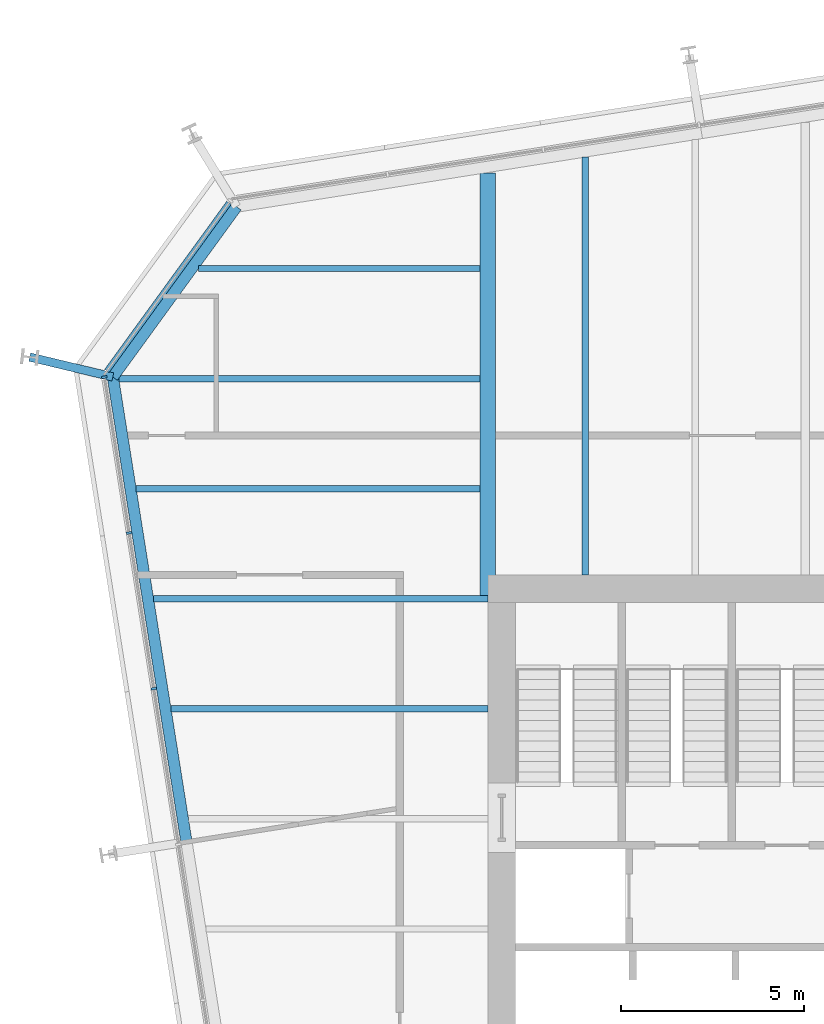
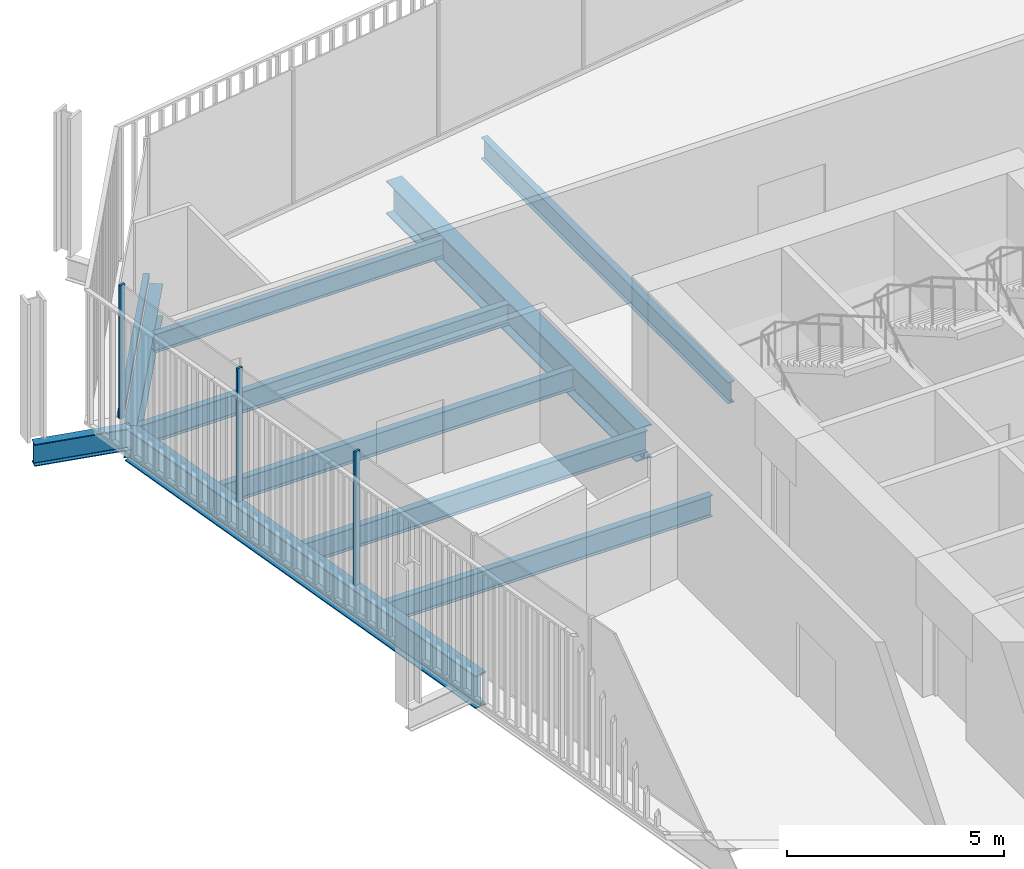
# One storey, part 10 of 21: 10 beams, 4 members, 2 elements without a shape of their own.
"""IFC4 building model written with IfcOpenShell, lengths in metres."""

from ifc_helpers import new_model, si_unit, direction, frame, origin, origin_2d, place, context, subcontext, project, spatial, rectangle, i_section, extrude, material, layer, layer_set, material_profile, profile_set, type_object, element, aggregate, save


model = new_model("IFC4")

# Units and contexts
model_context = context("Model", 3, precision=1e-05, world=origin(), true_north=direction((0.0, 1.0)))
body_context = subcontext(model_context, "Body", "Model", "MODEL_VIEW")
ifc_project = project(units=[si_unit("LENGTHUNIT", "METRE"), si_unit("AREAUNIT", "SQUARE_METRE"), si_unit("VOLUMEUNIT", "CUBIC_METRE"), si_unit("PLANEANGLEUNIT", "RADIAN"), si_unit("MASSUNIT", "GRAM", prefix="KILO")], contexts=[model_context])

# Site, building, storey
site_placement = place(None, origin())
site = spatial("IfcSite", under=ifc_project, at=site_placement, CompositionType="ELEMENT")
building_placement = place(site_placement, origin())
building = spatial("IfcBuilding", under=site, at=building_placement, Name="Millrace Tower", CompositionType="ELEMENT")
storey_placement = place(building_placement, frame((0.0, 0.0, 141.199951171875)))
storey = spatial("IfcBuildingStorey", under=building, at=storey_placement, Name="L31", CompositionType="ELEMENT", Elevation=141.199951171875)

# Curtain wall, members
ifc_material_1 = material(Name="Aluminium and glass", Category="aluminium")
ifc_layer = layer(ifc_material_1, 0.14990234375)
ifc_layer_set = layer_set([ifc_layer], Name="Aluminium and glass")
curtain_wall_type = type_object("IfcCurtainWallType", Name="CW-1 office vision curtain wall", PredefinedType="NOTDEFINED", material=ifc_layer_set)
placement = place(storey_placement, origin())
curtain_wall_1 = element("IfcCurtainWall", 1, at=placement, inside=storey, type_object=curtain_wall_type, Name="Curtain wall C-F08 L31", PredefinedType="NOTDEFINED")
ifc_material_2 = material(Name="Aluminium", Category="aluminium")
ifc_material_profile_1 = material_profile(ifc_material_2, rectangle(XDim=0.06494140625, YDim=0.14990234375, at=origin_2d()))
ifc_profile_set_1 = profile_set([ifc_material_profile_1], Name="Aluminium")
member_type_1 = type_object("IfcMemberType", Name="CW-1 office vision curtain wall mullion", PredefinedType="MULLION", material=ifc_profile_set_1)
member_1_placement = place(storey_placement, frame((-25.106689453125, 15.041748046875, 0.14013671875), z_axis=(0.0, 0.0, 1.0), x_axis=(0.15643447328, -0.98768833929, 0.0)))
member_1 = element("IfcMember", 2, at=member_1_placement, type_object=member_type_1, Name="CW1 mullion C-F08.1", PredefinedType="MULLION", context=body_context, shape_type="SweptSolid", body=[
    extrude(rectangle(XDim=0.06494140625, YDim=0.14990234375, at=origin_2d()), origin(), (0.0, 0.0, 1.0), 3.760009765625),
])
member_2_placement = place(storey_placement, frame((-24.43408203125, 10.794677734375, 0.14013671875), z_axis=(0.0, 0.0, 1.0), x_axis=(0.15643447328, -0.98768833929, 0.0)))
member_2 = element("IfcMember", 3, at=member_2_placement, type_object=member_type_1, Name="CW1 mullion C-F08.2", PredefinedType="MULLION", context=body_context, shape_type="SweptSolid", body=[
    extrude(rectangle(XDim=0.06494140625, YDim=0.14990234375, at=origin_2d()), origin(), (0.0, 0.0, 1.0), 3.760009765625),
])
member_3_placement = place(storey_placement, frame((-23.76123046875, 6.547607421875, 0.14013671875), z_axis=(0.0, 0.0, 1.0), x_axis=(0.15643447328, -0.98768833929, 0.0)))
member_3 = element("IfcMember", 4, at=member_3_placement, type_object=member_type_1, Name="CW1 mullion C-F08.3", PredefinedType="MULLION", context=body_context, shape_type="SweptSolid", body=[
    extrude(rectangle(XDim=0.06494140625, YDim=0.14990234375, at=origin_2d()), origin(), (0.0, 0.0, 1.0), 3.760009765625),
])
aggregate(curtain_wall_1, [member_1, member_2, member_3])

# Curtain wall, member
curtain_wall_2 = element("IfcCurtainWall", 5, at=placement, inside=storey, type_object=curtain_wall_type, Name="Curtain wall C-F07 L31", PredefinedType="NOTDEFINED")
ifc_material_3 = material(Name="Aluminium", Category="aluminium")
ifc_material_profile_2 = material_profile(ifc_material_3, rectangle(XDim=0.14990234375, YDim=0.139892578125, at=origin_2d()))
ifc_profile_set_2 = profile_set([ifc_material_profile_2], Name="Aluminium")
member_type_2 = type_object("IfcMemberType", Name="CW-1 office vision curtain wall transom", PredefinedType="USERDEFINED", material=ifc_profile_set_2)
member_4_placement = place(storey_placement, frame((-21.70751953125, 19.796875, 0.070068359375), z_axis=(-0.587761915215, -0.80903394924, 0.0), x_axis=(0.80903394924, -0.587761915215, 0.0)))
member_4 = element("IfcMember", 6, at=member_4_placement, type_object=member_type_2, Name="CW1 transom C-F07.1", ObjectType="TRANSOM", PredefinedType="USERDEFINED", context=body_context, shape_type="SweptSolid", body=[
    extrude(rectangle(XDim=0.14990234375, YDim=0.139892578125, at=origin_2d()), origin(), (0.0, 0.0, 1.0), 5.6689453125),
])
aggregate(curtain_wall_2, [member_4])

# Beams
ifc_material_4 = material(Name="Steel ASTM A992 Grade 50", Category="steel")
ifc_material_profile_3 = material_profile(ifc_material_4, i_section(OverallWidth=0.1650390625, OverallDepth=0.52587890625, WebThickness=0.0087890625, FlangeThickness=0.011474609375, FilletRadius=0.0126953125, at=origin_2d()))
ifc_profile_set_3 = profile_set([ifc_material_profile_3], Name="Steel ASTM A992 Grade 50")
beam_type_1 = type_object("IfcBeamType", Name="Floor beam W21x44", PredefinedType="JOIST", material=ifc_profile_set_3)
beam_1_placement = place(storey_placement, frame((-22.540283203125, 18.0, -0.4228515625), z_axis=(1.0, 0.0, 0.0), x_axis=(0.0, 1.0, 0.0)))
element("IfcBeam", 7, at=beam_1_placement, inside=storey, type_object=beam_type_1, Name="BM-C-L31-S1-S035", PredefinedType="JOIST", context=body_context, shape_type="SweptSolid", body=[
    extrude(i_section(OverallWidth=0.1650390625, OverallDepth=0.52587890625, WebThickness=0.0087890625, FlangeThickness=0.011474609375, FilletRadius=0.0126953125, at=origin_2d()), origin(), (0.0, 0.0, 1.0), 7.6806640625),
])
ifc_material_5 = material(Name="Steel ASTM A992 Grade 50", Category="steel")
ifc_material_profile_4 = material_profile(ifc_material_5, i_section(OverallWidth=0.177978515625, OverallDepth=0.599365234375, WebThickness=0.010009765625, FlangeThickness=0.012939453125, FilletRadius=0.012939453125, at=origin_2d()))
ifc_profile_set_4 = profile_set([ifc_material_profile_4], Name="Steel ASTM A992 Grade 50")
beam_type_2 = type_object("IfcBeamType", Name="Floor beam W24x55", PredefinedType="JOIST", material=ifc_profile_set_4)
beam_2_placement = place(storey_placement, frame((-23.28759765625, 6.0, -0.459716796875), z_axis=(1.0, 0.0, 0.0), x_axis=(0.0, 1.0, 0.0)))
element("IfcBeam", 8, at=beam_2_placement, inside=storey, type_object=beam_type_2, Name="BM-C-L31-S1-S026", PredefinedType="JOIST", context=body_context, shape_type="SweptSolid", body=[
    extrude(i_section(OverallWidth=0.177978515625, OverallDepth=0.599365234375, WebThickness=0.010009765625, FlangeThickness=0.012939453125, FilletRadius=0.012939453125, at=origin_2d()), origin(), (0.0, 0.0, 1.0), 8.6376953125),
])
beam_3_placement = place(storey_placement, frame((-23.7626953125, 9.0, -0.459716796875), z_axis=(1.0, 0.0, 0.0), x_axis=(0.0, 1.0, 0.0)))
element("IfcBeam", 9, at=beam_3_placement, inside=storey, type_object=beam_type_2, Name="BM-C-L31-S1-S029", PredefinedType="JOIST", context=body_context, shape_type="SweptSolid", body=[
    extrude(i_section(OverallWidth=0.177978515625, OverallDepth=0.599365234375, WebThickness=0.010009765625, FlangeThickness=0.012939453125, FilletRadius=0.012939453125, at=origin_2d()), origin(), (0.0, 0.0, 1.0), 9.11279296875),
])
beam_4_placement = place(storey_placement, frame((-24.23779296875, 12.0, -0.459716796875), z_axis=(1.0, 0.0, 0.0), x_axis=(0.0, 1.0, 0.0)))
element("IfcBeam", 10, at=beam_4_placement, inside=storey, type_object=beam_type_2, Name="BM-C-L31-S1-S031", PredefinedType="JOIST", context=body_context, shape_type="SweptSolid", body=[
    extrude(i_section(OverallWidth=0.177978515625, OverallDepth=0.599365234375, WebThickness=0.010009765625, FlangeThickness=0.012939453125, FilletRadius=0.012939453125, at=origin_2d()), origin(), (0.0, 0.0, 1.0), 9.378173828125),
])
beam_5_placement = place(storey_placement, frame((-24.712890625, 15.0, -0.459716796875), z_axis=(1.0, 0.0, 0.0), x_axis=(0.0, 1.0, 0.0)))
element("IfcBeam", 11, at=beam_5_placement, inside=storey, type_object=beam_type_2, Name="BM-C-L31-S1-S033", PredefinedType="JOIST", context=body_context, shape_type="SweptSolid", body=[
    extrude(i_section(OverallWidth=0.177978515625, OverallDepth=0.599365234375, WebThickness=0.010009765625, FlangeThickness=0.012939453125, FilletRadius=0.012939453125, at=origin_2d()), origin(), (0.0, 0.0, 1.0), 9.853271484375),
])
ifc_material_6 = material(Name="Steel ASTM A992 Grade 50", Category="steel")
ifc_material_profile_5 = material_profile(ifc_material_6, i_section(OverallWidth=0.1787109375, OverallDepth=0.60205078125, WebThickness=0.010986328125, FlangeThickness=0.014892578125, FilletRadius=0.0126953125, at=origin_2d()))
ifc_profile_set_5 = profile_set([ifc_material_profile_5], Name="Steel ASTM A992 Grade 50")
beam_type_3 = type_object("IfcBeamType", Name="Floor beam W24x62", PredefinedType="JOIST", material=ifc_profile_set_5)
beam_6_placement = place(storey_placement, frame((-12.0, 9.64990234375, -0.4609375), z_axis=(0.0, 1.0, 0.0), x_axis=(-1.0, 0.0, 0.0)))
element("IfcBeam", 12, at=beam_6_placement, inside=storey, type_object=beam_type_3, Name="BM-C-L31-S1-S039", PredefinedType="JOIST", context=body_context, shape_type="SweptSolid", body=[
    extrude(i_section(OverallWidth=0.1787109375, OverallDepth=0.60205078125, WebThickness=0.010986328125, FlangeThickness=0.014892578125, FilletRadius=0.0126953125, at=origin_2d()), origin(), (0.0, 0.0, 1.0), 11.39111328125),
])
ifc_material_7 = material(Name="Steel ASTM A992 Grade 50", Category="steel")
ifc_material_profile_6 = material_profile(ifc_material_7, i_section(OverallWidth=0.419189453125, OverallDepth=0.927001953125, WebThickness=0.019287109375, FlangeThickness=0.031982421875, FilletRadius=0.024169921875, at=origin_2d()))
ifc_profile_set_6 = profile_set([ifc_material_profile_6], Name="Steel ASTM A992 Grade 50")
beam_type_4 = type_object("IfcBeamType", Name="Girder short span W36x231", PredefinedType="BEAM", material=ifc_profile_set_6)
beam_7_placement = place(storey_placement, frame((-14.64990234375, 9.090087890625, -0.62353515625), z_axis=(0.0, 1.0, 0.0), x_axis=(-1.0, 0.0, 0.0)))
element("IfcBeam", 13, at=beam_7_placement, inside=storey, type_object=beam_type_4, Name="BM-C-L31-S1-G057", PredefinedType="BEAM", context=body_context, shape_type="SweptSolid", body=[
    extrude(i_section(OverallWidth=0.419189453125, OverallDepth=0.927001953125, WebThickness=0.019287109375, FlangeThickness=0.031982421875, FilletRadius=0.024169921875, at=origin_2d()), origin(), (0.0, 0.0, 1.0), 11.523193359375),
])
ifc_material_8 = material(Name="Steel ASTM A992 Grade 50", Category="steel")
ifc_material_profile_7 = material_profile(ifc_material_8, i_section(OverallWidth=0.23046875, OverallDepth=0.6171875, WebThickness=0.01318359375, FlangeThickness=0.022216796875, FilletRadius=0.012939453125, at=origin_2d()))
ifc_profile_set_7 = profile_set([ifc_material_profile_7], Name="Steel ASTM A992 Grade 50")
beam_type_5 = type_object("IfcBeamType", Name="Link beam W24x94", PredefinedType="BEAM", material=ifc_profile_set_7)
beam_8_placement = place(storey_placement, frame((-24.8759765625, 15.046630859375, -0.468505859375), z_axis=(-0.972367333652, 0.233456138164, 0.0), x_axis=(-0.233456138164, -0.972367333652, 0.0)))
element("IfcBeam", 14, at=beam_8_placement, inside=storey, type_object=beam_type_5, Name="LNK-C-L31-S1-04", PredefinedType="BEAM", context=body_context, shape_type="SweptSolid", body=[
    extrude(i_section(OverallWidth=0.23046875, OverallDepth=0.6171875, WebThickness=0.01318359375, FlangeThickness=0.022216796875, FilletRadius=0.012939453125, at=origin_2d()), origin(), (0.0, 0.0, 1.0), 2.3310546875),
])
ifc_material_9 = material(Name="Steel ASTM A992 Grade 50", Category="steel")
ifc_material_profile_8 = material_profile(ifc_material_9, i_section(OverallWidth=0.307373046875, OverallDepth=0.927001953125, WebThickness=0.01953125, FlangeThickness=0.031982421875, FilletRadius=0.01904296875, at=origin_2d()))
ifc_profile_set_8 = profile_set([ifc_material_profile_8], Name="Steel ASTM A992 Grade 50")
beam_type_6 = type_object("IfcBeamType", Name="Ring beam medium span W36x194", PredefinedType="SPANDREL", material=ifc_profile_set_8)
beam_9_placement = place(storey_placement, frame((-22.867919921875, 2.368408203125, -0.62353515625), z_axis=(-0.156436246498, 0.987688058438, 0.0), x_axis=(-0.987688058438, -0.156436246498, 0.0)))
element("IfcBeam", 15, at=beam_9_placement, inside=storey, type_object=beam_type_6, Name="RNG-C-L31-S1-03", PredefinedType="SPANDREL", context=body_context, shape_type="SweptSolid", body=[
    extrude(i_section(OverallWidth=0.307373046875, OverallDepth=0.927001953125, WebThickness=0.01953125, FlangeThickness=0.031982421875, FilletRadius=0.01904296875, at=origin_2d()), origin(), (0.0, 0.0, 1.0), 12.836181640625),
])
ifc_material_10 = material(Name="Steel ASTM A992 Grade 50", Category="steel")
ifc_material_profile_9 = material_profile(ifc_material_10, i_section(OverallWidth=0.307373046875, OverallDepth=0.927001953125, WebThickness=0.01953125, FlangeThickness=0.031982421875, FilletRadius=0.01904296875, at=origin_2d()))
ifc_profile_set_9 = profile_set([ifc_material_profile_9], Name="Steel ASTM A992 Grade 50")
beam_type_7 = type_object("IfcBeamType", Name="Ring beam short span W36x194", PredefinedType="SPANDREL", material=ifc_profile_set_9)
beam_10_placement = place(storey_placement, frame((-24.8759765625, 15.046630859375, -0.62353515625), z_axis=(0.587787348381, 0.809015471473, 0.0), x_axis=(-0.809015471473, 0.587787348381, 0.0)))
element("IfcBeam", 16, at=beam_10_placement, inside=storey, type_object=beam_type_7, Name="RNG-C-L31-S1-04", PredefinedType="SPANDREL", context=body_context, shape_type="SweptSolid", body=[
    extrude(i_section(OverallWidth=0.307373046875, OverallDepth=0.927001953125, WebThickness=0.01953125, FlangeThickness=0.031982421875, FilletRadius=0.01904296875, at=origin_2d()), origin(), (0.0, 0.0, 1.0), 5.741943359375),
])

save(model, "model.ifc")
